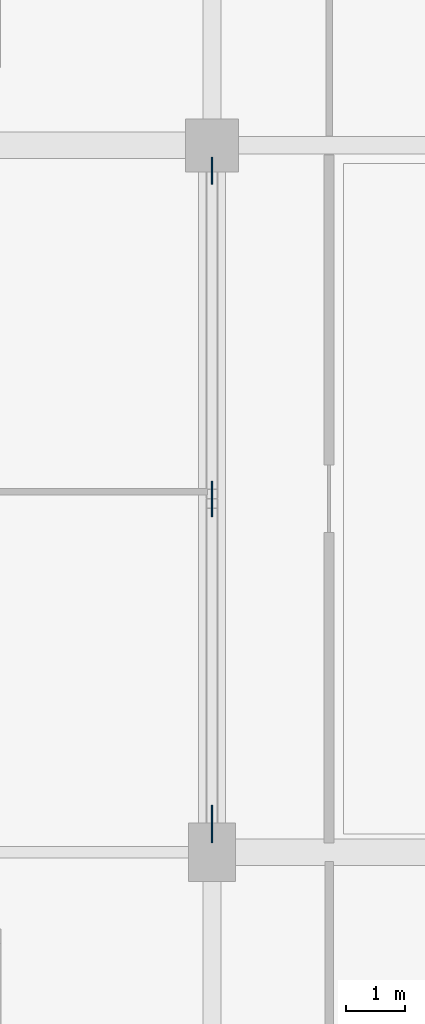
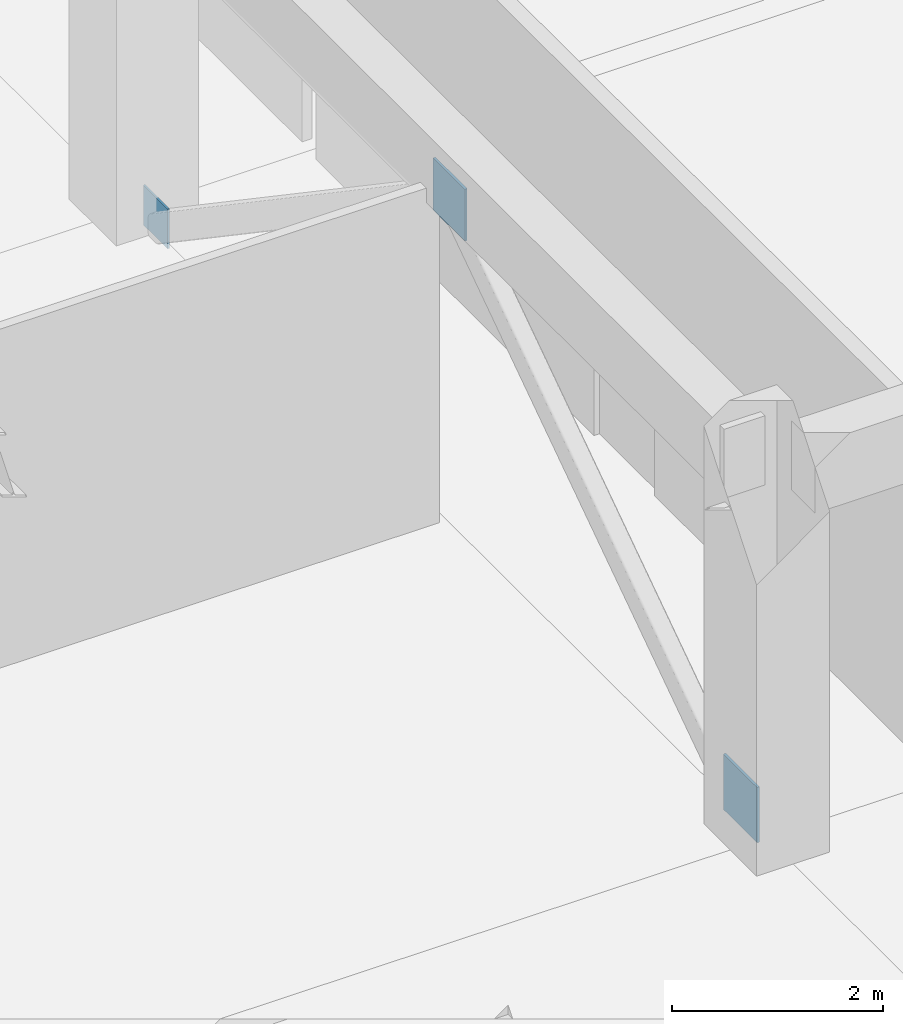
# One storey, part 75 of 134: 3 plates.
"""IFC4 building model written with IfcOpenShell, lengths in metres."""

from ifc_helpers import new_model, si_unit, direction, frame, origin, origin_2d, place, context, subcontext, project, spatial, rectangle, extrude, material, layer, layer_set, type_object, element, save


model = new_model("IFC4")

# Units and contexts
model_context = context("Model", 3, precision=1e-05, world=origin(), true_north=direction((0.0, 1.0)))
body_context = subcontext(model_context, "Body", "Model", "MODEL_VIEW")
ifc_project = project(units=[si_unit("LENGTHUNIT", "METRE"), si_unit("AREAUNIT", "SQUARE_METRE"), si_unit("VOLUMEUNIT", "CUBIC_METRE"), si_unit("PLANEANGLEUNIT", "RADIAN"), si_unit("MASSUNIT", "GRAM", prefix="KILO")], contexts=[model_context])

# Site, building, storey
site_placement = place(None, origin())
site = spatial("IfcSite", under=ifc_project, at=site_placement, CompositionType="ELEMENT")
building_placement = place(site_placement, origin())
building = spatial("IfcBuilding", under=site, at=building_placement, Name="Kazenohara Klinker Stadium", CompositionType="ELEMENT")
storey_placement = place(building_placement, frame((0.0, 0.0, 5.39990234375)))
storey = spatial("IfcBuildingStorey", under=building, at=storey_placement, Name="L01", CompositionType="ELEMENT", Elevation=5.39990234375)

# Plates
ifc_material = material(Name="Steel S355", Category="steel")
ifc_layer_1 = layer(ifc_material, 0.02001953125)
ifc_layer_set_1 = layer_set([ifc_layer_1], Name="Steel S355")
plate_type_1 = type_object("IfcPlateType", Name="PLT-GP01", PredefinedType="USERDEFINED", material=ifc_layer_set_1)
plate_1_placement = place(storey_placement, frame((187.5, 119.570068359375, -0.059814453125), z_axis=(0.0, 0.0, 1.0), x_axis=(1.0, 0.0, 0.0)))
element("IfcPlate", 1, at=plate_1_placement, inside=storey, type_object=plate_type_1, Name="Chevron brace gusset plate GP01 L01 16/K BOT-B", ObjectType="GUSSET PLATE", PredefinedType="USERDEFINED", context=body_context, shape_type="SweptSolid", body=[
    extrude(rectangle(XDim=0.02001953125, YDim=0.4599609375, at=origin_2d()), origin(), (0.0, 0.0, 1.0), 0.4599609375),
])
ifc_layer_2 = layer(ifc_material, 0.02587890625)
ifc_layer_set_2 = layer_set([ifc_layer_2], Name="Steel S355")
plate_type_2 = type_object("IfcPlateType", Name="PLT-GP05", PredefinedType="USERDEFINED", material=ifc_layer_set_2)
plate_2_placement = place(storey_placement, frame((187.5, 114.0, 3.449951171875), z_axis=(0.0, 0.0, 1.0), x_axis=(1.0, 0.0, 0.0)))
element("IfcPlate", 2, at=plate_2_placement, inside=storey, type_object=plate_type_2, Name="Chevron brace gusset plate GP05 L01 16/K TOP", ObjectType="GUSSET PLATE", PredefinedType="USERDEFINED", context=body_context, shape_type="SweptSolid", body=[
    extrude(rectangle(XDim=0.02587890625, YDim=0.60009765625, at=origin_2d()), origin(), (0.0, 0.0, 1.0), 0.60009765625),
])
ifc_layer_3 = layer(ifc_material, 0.028076171875)
ifc_layer_set_3 = layer_set([ifc_layer_3], Name="Steel S355")
plate_type_3 = type_object("IfcPlateType", Name="PLT-GP06", PredefinedType="USERDEFINED", material=ifc_layer_set_3)
plate_3_placement = place(storey_placement, frame((187.5, 108.47998046875, -0.14990234375), z_axis=(0.0, 0.0, 1.0), x_axis=(1.0, 0.0, 0.0)))
element("IfcPlate", 3, at=plate_3_placement, inside=storey, type_object=plate_type_3, Name="Chevron brace gusset plate GP06 L01 16/K BOT-A", ObjectType="GUSSET PLATE", PredefinedType="USERDEFINED", context=body_context, shape_type="SweptSolid", body=[
    extrude(rectangle(XDim=0.028076171875, YDim=0.639892578125, at=origin_2d()), origin(), (0.0, 0.0, 1.0), 0.639892578125),
])

save(model, "model.ifc")
